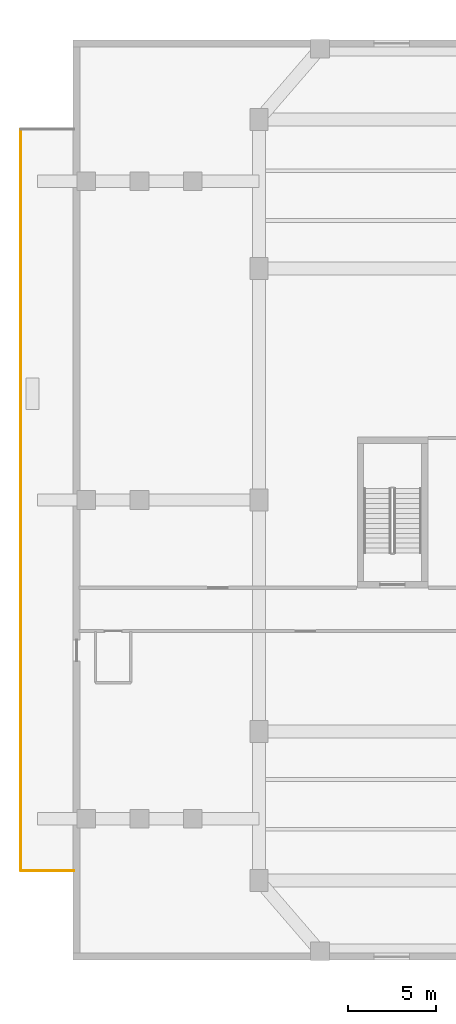
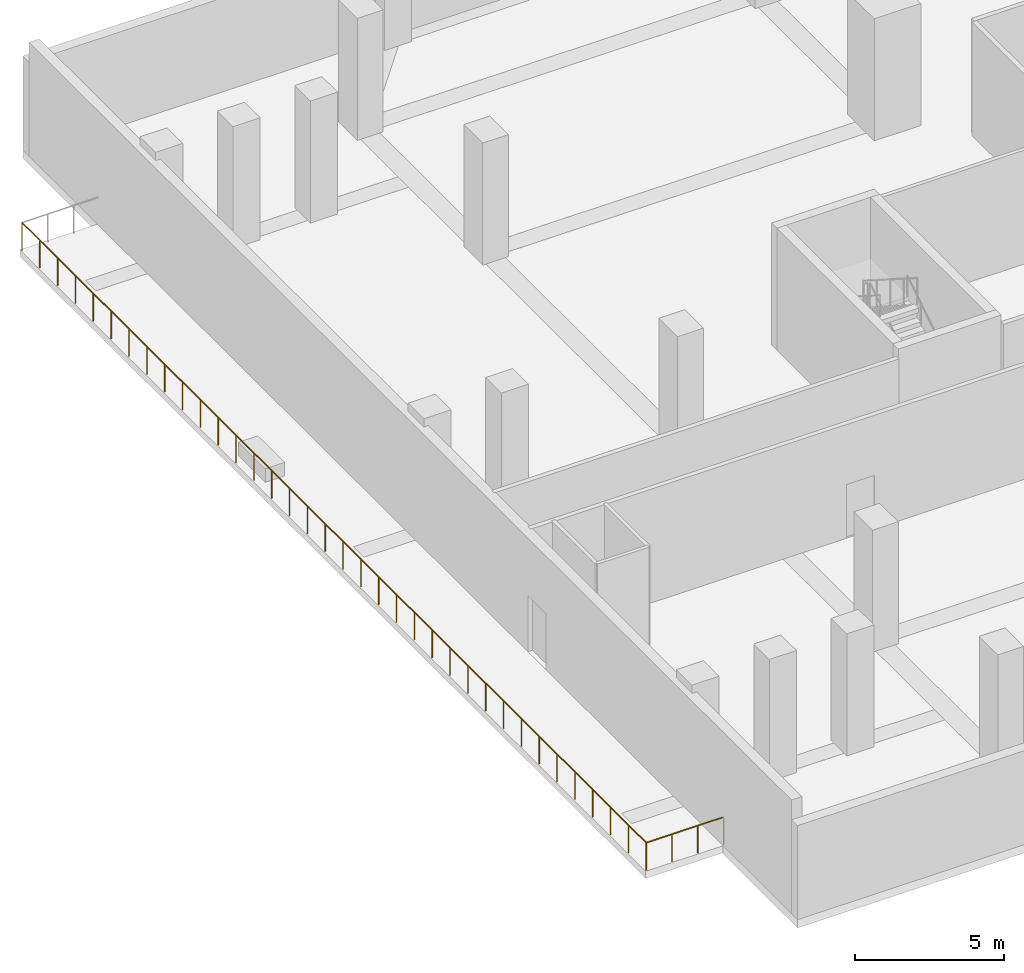
# One storey, part 11 of 17: 2 railings.
"""IFC4 building model written with IfcOpenShell, lengths in metres."""

from ifc_helpers import new_model, si_unit, direction, frame, origin, origin_2d, place, context, subcontext, project, spatial, circle, extrude, source, transform, mapped, material, type_object, element, save


model = new_model("IFC4")

# Units and contexts
model_context = context("Model", 3, precision=1e-05, world=origin(), true_north=direction((0.0, 1.0)))
body_context = subcontext(model_context, "Body", "Model", "MODEL_VIEW")
ifc_project = project(units=[si_unit("LENGTHUNIT", "METRE"), si_unit("AREAUNIT", "SQUARE_METRE"), si_unit("VOLUMEUNIT", "CUBIC_METRE"), si_unit("PLANEANGLEUNIT", "RADIAN"), si_unit("MASSUNIT", "GRAM", prefix="KILO"), si_unit("THERMODYNAMICTEMPERATUREUNIT", "KELVIN")], contexts=[model_context])

# Site, building, storey
site_placement = place(None, origin())
site = spatial("IfcSite", under=ifc_project, at=site_placement, CompositionType="ELEMENT")
building_placement = place(site_placement, origin())
building = spatial("IfcBuilding", under=site, at=building_placement, Name="Kosmvard Interchange Tower", CompositionType="ELEMENT")
storey_placement = place(building_placement, frame((0.0, 0.0, 6.0)))
storey = spatial("IfcBuildingStorey", under=building, at=storey_placement, Name="L01", CompositionType="ELEMENT", Elevation=6.0)

# Railings
ifc_material = material(Name="Steel S355", Category="steel")
railing_type = type_object("IfcRailingType", Name="Observation & Balcony Glass-Infill Balustrade 1150", PredefinedType="BALUSTRADE", material=ifc_material)
shared_shape_1 = source(origin(), body_context, "Body", "SweptSolid", [
    extrude(circle(Radius=0.02392578125, at=origin_2d()), frame((0.0, 0.0, 1.1259765625), z_axis=(-1.0, 0.0, 0.0), x_axis=(0.0, -1.0, 0.0)), (0.0, 0.0, 1.0), 3.0),
    extrude(circle(Radius=0.02099609375, at=origin_2d()), origin(), (0.0, 0.0, 1.0), 1.101806640625),
    extrude(circle(Radius=0.02099609375, at=origin_2d()), frame((-1.0, 0.0, 0.0)), (0.0, 0.0, 1.0), 1.101806640625),
    extrude(circle(Radius=0.02099609375, at=origin_2d()), frame((-2.0, 0.0, 0.0)), (0.0, 0.0, 1.0), 1.101806640625),
    extrude(circle(Radius=0.02099609375, at=origin_2d()), frame((-3.0, 0.0, 0.0)), (0.0, 0.0, 1.0), 1.101806640625),
])
railing_1_placement = place(storey_placement, frame((-38.949951171875, -20.949951171875, 0.0)))
element("IfcRailing", 1, at=railing_1_placement, inside=storey, type_object=railing_type, Name="L01 Outdoor Terrace Guard TER-L01-W-A", PredefinedType="BALUSTRADE", context=body_context, shape_type="MappedRepresentation", body=[
    mapped(shared_shape_1, transform((0.0, 0.0, 0.0), scale=1.0)),
])
shared_shape_2 = source(origin(), body_context, "Body", "SweptSolid", [
    extrude(circle(Radius=0.02392578125, at=origin_2d()), frame((0.0, 0.0, 1.1259765625), z_axis=(0.0, 1.0, 0.0), x_axis=(-1.0, 0.0, 0.0)), (0.0, 0.0, 1.0), 41.89990234375),
    extrude(circle(Radius=0.02099609375, at=origin_2d()), origin(), (0.0, 0.0, 1.0), 1.101806640625),
    extrude(circle(Radius=0.02099609375, at=origin_2d()), frame((0.0, 1.197021484375, 0.0)), (0.0, 0.0, 1.0), 1.101806640625),
    extrude(circle(Radius=0.02099609375, at=origin_2d()), frame((0.0, 2.394287109375, 0.0)), (0.0, 0.0, 1.0), 1.101806640625),
    extrude(circle(Radius=0.02099609375, at=origin_2d()), frame((0.0, 3.59130859375, 0.0)), (0.0, 0.0, 1.0), 1.101806640625),
    extrude(circle(Radius=0.02099609375, at=origin_2d()), frame((0.0, 4.78857421875, 0.0)), (0.0, 0.0, 1.0), 1.101806640625),
    extrude(circle(Radius=0.02099609375, at=origin_2d()), frame((0.0, 5.985595703125, 0.0)), (0.0, 0.0, 1.0), 1.101806640625),
    extrude(circle(Radius=0.02099609375, at=origin_2d()), frame((0.0, 7.182861328125, 0.0)), (0.0, 0.0, 1.0), 1.101806640625),
    extrude(circle(Radius=0.02099609375, at=origin_2d()), frame((0.0, 8.3798828125, 0.0)), (0.0, 0.0, 1.0), 1.101806640625),
    extrude(circle(Radius=0.02099609375, at=origin_2d()), frame((0.0, 9.5771484375, 0.0)), (0.0, 0.0, 1.0), 1.101806640625),
    extrude(circle(Radius=0.02099609375, at=origin_2d()), frame((0.0, 10.774169921875, 0.0)), (0.0, 0.0, 1.0), 1.101806640625),
    extrude(circle(Radius=0.02099609375, at=origin_2d()), frame((0.0, 11.971435546875, 0.0)), (0.0, 0.0, 1.0), 1.101806640625),
    extrude(circle(Radius=0.02099609375, at=origin_2d()), frame((0.0, 13.16845703125, 0.0)), (0.0, 0.0, 1.0), 1.101806640625),
    extrude(circle(Radius=0.02099609375, at=origin_2d()), frame((0.0, 14.36572265625, 0.0)), (0.0, 0.0, 1.0), 1.101806640625),
    extrude(circle(Radius=0.02099609375, at=origin_2d()), frame((0.0, 15.562744140625, 0.0)), (0.0, 0.0, 1.0), 1.101806640625),
    extrude(circle(Radius=0.02099609375, at=origin_2d()), frame((0.0, 16.760009765625, 0.0)), (0.0, 0.0, 1.0), 1.101806640625),
    extrude(circle(Radius=0.02099609375, at=origin_2d()), frame((0.0, 17.95703125, 0.0)), (0.0, 0.0, 1.0), 1.101806640625),
    extrude(circle(Radius=0.02099609375, at=origin_2d()), frame((0.0, 19.154296875, 0.0)), (0.0, 0.0, 1.0), 1.101806640625),
    extrude(circle(Radius=0.02099609375, at=origin_2d()), frame((0.0, 20.351318359375, 0.0)), (0.0, 0.0, 1.0), 1.101806640625),
    extrude(circle(Radius=0.02099609375, at=origin_2d()), frame((0.0, 21.548583984375, 0.0)), (0.0, 0.0, 1.0), 1.101806640625),
    extrude(circle(Radius=0.02099609375, at=origin_2d()), frame((0.0, 22.74560546875, 0.0)), (0.0, 0.0, 1.0), 1.101806640625),
    extrude(circle(Radius=0.02099609375, at=origin_2d()), frame((0.0, 23.94287109375, 0.0)), (0.0, 0.0, 1.0), 1.101806640625),
    extrude(circle(Radius=0.02099609375, at=origin_2d()), frame((0.0, 25.139892578125, 0.0)), (0.0, 0.0, 1.0), 1.101806640625),
    extrude(circle(Radius=0.02099609375, at=origin_2d()), frame((0.0, 26.337158203125, 0.0)), (0.0, 0.0, 1.0), 1.101806640625),
    extrude(circle(Radius=0.02099609375, at=origin_2d()), frame((0.0, 27.5341796875, 0.0)), (0.0, 0.0, 1.0), 1.101806640625),
    extrude(circle(Radius=0.02099609375, at=origin_2d()), frame((0.0, 28.7314453125, 0.0)), (0.0, 0.0, 1.0), 1.101806640625),
    extrude(circle(Radius=0.02099609375, at=origin_2d()), frame((0.0, 29.928466796875, 0.0)), (0.0, 0.0, 1.0), 1.101806640625),
    extrude(circle(Radius=0.02099609375, at=origin_2d()), frame((0.0, 31.125732421875, 0.0)), (0.0, 0.0, 1.0), 1.101806640625),
    extrude(circle(Radius=0.02099609375, at=origin_2d()), frame((0.0, 32.32275390625, 0.0)), (0.0, 0.0, 1.0), 1.101806640625),
    extrude(circle(Radius=0.02099609375, at=origin_2d()), frame((0.0, 33.52001953125, 0.0)), (0.0, 0.0, 1.0), 1.101806640625),
    extrude(circle(Radius=0.02099609375, at=origin_2d()), frame((0.0, 34.717041015625, 0.0)), (0.0, 0.0, 1.0), 1.101806640625),
    extrude(circle(Radius=0.02099609375, at=origin_2d()), frame((0.0, 35.914306640625, 0.0)), (0.0, 0.0, 1.0), 1.101806640625),
    extrude(circle(Radius=0.02099609375, at=origin_2d()), frame((0.0, 37.111328125, 0.0)), (0.0, 0.0, 1.0), 1.101806640625),
    extrude(circle(Radius=0.02099609375, at=origin_2d()), frame((0.0, 38.30859375, 0.0)), (0.0, 0.0, 1.0), 1.101806640625),
    extrude(circle(Radius=0.02099609375, at=origin_2d()), frame((0.0, 39.505615234375, 0.0)), (0.0, 0.0, 1.0), 1.101806640625),
    extrude(circle(Radius=0.02099609375, at=origin_2d()), frame((0.0, 40.702880859375, 0.0)), (0.0, 0.0, 1.0), 1.101806640625),
    extrude(circle(Radius=0.02099609375, at=origin_2d()), frame((0.0, 41.89990234375, 0.0)), (0.0, 0.0, 1.0), 1.101806640625),
])
railing_2_placement = place(storey_placement, frame((-41.949951171875, -20.949951171875, 0.0)))
element("IfcRailing", 2, at=railing_2_placement, inside=storey, type_object=railing_type, Name="L01 Outdoor Terrace Guard TER-L01-W-B", PredefinedType="BALUSTRADE", context=body_context, shape_type="MappedRepresentation", body=[
    mapped(shared_shape_2, transform((0.0, 0.0, 0.0), scale=1.0)),
])

save(model, "model.ifc")
